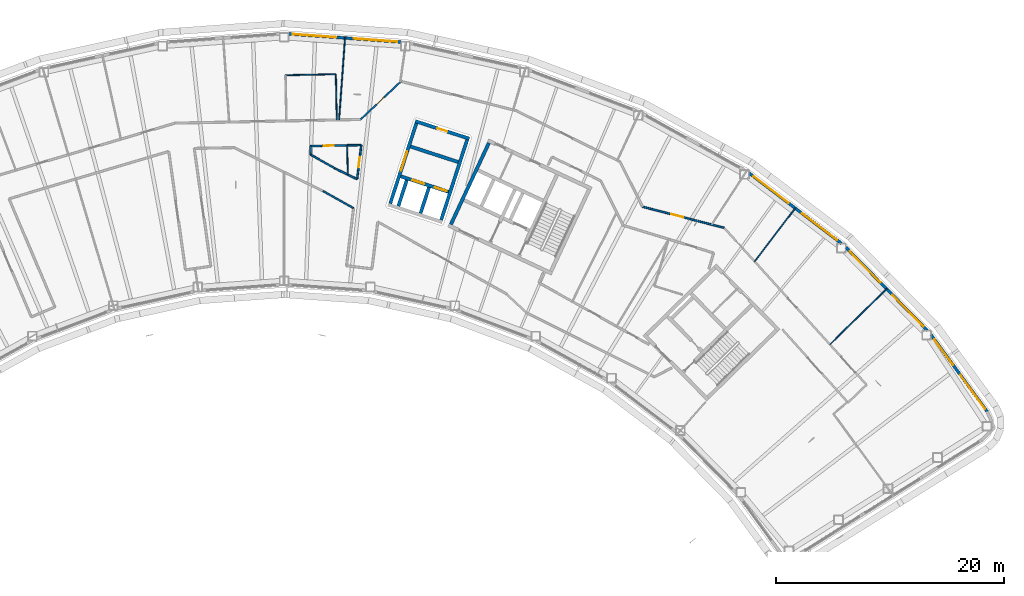
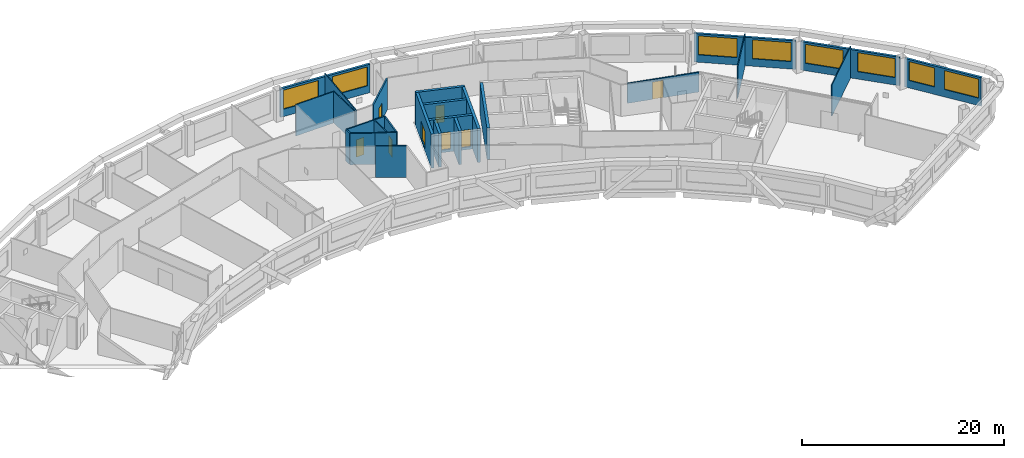
# One storey, part 10 of 21: 26 walls, 8 doors, 8 windows, 16 openings.
"""IFC4 building model written with IfcOpenShell, lengths in metres."""

from ifc_helpers import new_model, si_unit, direction, frame, frame_2d, origin, place, context, subcontext, project, spatial, rectangle, extrude, material, layer, layer_set, type_object, element, fill, save


model = new_model("IFC4")

# Units and contexts
model_context = context("Model", 3, precision=1e-05, world=origin(), true_north=direction((0.0, 1.0)))
body_context = subcontext(model_context, "Body", "Model", "MODEL_VIEW")
ifc_project = project(units=[si_unit("LENGTHUNIT", "METRE"), si_unit("AREAUNIT", "SQUARE_METRE"), si_unit("VOLUMEUNIT", "CUBIC_METRE"), si_unit("PLANEANGLEUNIT", "RADIAN"), si_unit("MASSUNIT", "GRAM", prefix="KILO")], contexts=[model_context])

# Site, building, storey
site_placement = place(None, origin())
site = spatial("IfcSite", under=ifc_project, at=site_placement, CompositionType="ELEMENT")
building_placement = place(site_placement, origin())
building = spatial("IfcBuilding", under=site, at=building_placement, Name="Tuul Gate Civic Tower", CompositionType="ELEMENT")
storey_placement = place(building_placement, frame((0.0, 0.0, 273.60009765625)))
storey = spatial("IfcBuildingStorey", under=building, at=storey_placement, Name="Level 62", CompositionType="ELEMENT", Elevation=273.60009765625)

# Wall
ifc_material_1 = material(Name="Concrete C50/60", Category="concrete")
ifc_layer_1 = layer(ifc_material_1, 0.300048828125)
ifc_layer_set_1 = layer_set([ifc_layer_1], Name="Concrete C50/60")
wall_type_1 = type_object("IfcWallType", Name="Core wall C50/60", PredefinedType="SHEAR", material=ifc_layer_set_1)
wall_1_placement = place(storey_placement, frame((25.66455078125, -2.951416015625, 0.0), z_axis=(0.0, 0.0, 1.0), x_axis=(0.422582604137, 0.906324413596, 0.0)))
element("IfcWall", 1, at=wall_1_placement, inside=storey, type_object=wall_type_1, Name="Core wall", PredefinedType="SHEAR", context=body_context, shape_type="SweptSolid", body=[
    extrude(rectangle(XDim=7.89990234375, YDim=0.300048828125, at=frame_2d((3.949951171875, 0.0))), origin(), (0.0, 0.0, 1.0), 3.7998046875),
])

# Wall, opening, door
ifc_material_2 = material(Name="Gypsum board partition")
ifc_layer_2 = layer(ifc_material_2, 0.14990234375)
ifc_layer_set_2 = layer_set([ifc_layer_2], Name="Gypsum board partition")
wall_type_2 = type_object("IfcWallType", Name="Corridor wall P150", PredefinedType="PARTITIONING", material=ifc_layer_set_2)
wall_2_placement = place(storey_placement, frame((17.757080078125, 6.2724609375, 0.0), z_axis=(0.0, 0.0, 1.0), x_axis=(0.727431554184, 0.686180248898, 0.0)))
wall_2 = element("IfcWall", 2, at=wall_2_placement, inside=storey, type_object=wall_type_2, Name="p024", PredefinedType="PARTITIONING", context=body_context, shape_type="SweptSolid", body=[
    extrude(rectangle(XDim=4.85302734375, YDim=0.14990234375, at=frame_2d((2.426513671875, 0.0))), origin(), (0.0, 0.0, 1.0), 3.7998046875),
])
opening_1_placement = place(wall_2_placement, frame((1.929931640625, 0.0, 0.0)))
opening_1 = element("IfcOpeningElement", 3, at=opening_1_placement, cuts=wall_2, Name="Opening W-D08", PredefinedType="OPENING", context=body_context, shape_type="SweptSolid", body=[
    extrude(rectangle(XDim=0.89990234375, YDim=2.10009765625, at=frame_2d((0.449951171875, 1.050048828125))), frame((0.0, 0.0849609375, 0.0), z_axis=(0.0, -1.0, 0.0), x_axis=(1.0, 0.0, 0.0)), (0.0, 0.0, 1.0), 0.169921875),
])
ifc_material_3 = material(Name="Timber door leaf", Category="wood")
door_type_1 = type_object("IfcDoorType", Name="Door D09", OperationType="NOTDEFINED", PredefinedType="DOOR", material=ifc_material_3)
door_1_placement = place(opening_1_placement, origin())
door_1 = element("IfcDoor", 4, at=door_1_placement, inside=storey, type_object=door_type_1, Name="Door W-D08", OperationType="SINGLE_SWING_RIGHT", OverallHeight=2.10009765625, OverallWidth=0.89990234375, PredefinedType="DOOR", context=body_context, shape_type="SweptSolid", body=[
    extrude(rectangle(XDim=0.89990234375, YDim=2.10009765625, at=frame_2d((0.449951171875, 1.050048828125))), frame((0.0, 0.02490234375, 0.0), z_axis=(0.0, -1.0, 0.0), x_axis=(1.0, 0.0, 0.0)), (0.0, 0.0, 1.0), 0.050048828125),
])
fill(opening_1, door_1)

# Wall
wall_3_placement = place(storey_placement, frame((14.447265625, -0.01708984375, 0.0), z_axis=(0.0, 0.0, 1.0), x_axis=(0.872175403495, -0.489193280348, 0.0)))
element("IfcWall", 5, at=wall_3_placement, inside=storey, type_object=wall_type_2, Name="p068", PredefinedType="PARTITIONING", context=body_context, shape_type="SweptSolid", body=[
    extrude(rectangle(XDim=3.061767578125, YDim=0.14990234375, at=frame_2d((1.53076171875, 0.0))), origin(), (0.0, 0.0, 1.0), 3.7998046875),
])

# Wall, opening, door
wall_4_placement = place(storey_placement, frame((17.442138671875, 1.023193359375, 0.0), z_axis=(0.0, 0.0, 1.0), x_axis=(0.121882908983, 0.992544485904, 0.0)))
wall_4 = element("IfcWall", 6, at=wall_4_placement, inside=storey, type_object=wall_type_2, Name="p072", PredefinedType="PARTITIONING", context=body_context, shape_type="SweptSolid", body=[
    extrude(rectangle(XDim=3.0166015625, YDim=0.14990234375, at=frame_2d((1.50830078125, 0.0))), origin(), (0.0, 0.0, 1.0), 3.7998046875),
])
opening_2_placement = place(wall_4_placement, frame((1.058349609375, 0.0, 0.0)))
opening_2 = element("IfcOpeningElement", 7, at=opening_2_placement, cuts=wall_4, Name="Opening W-D31", PredefinedType="OPENING", context=body_context, shape_type="SweptSolid", body=[
    extrude(rectangle(XDim=0.89990234375, YDim=2.10009765625, at=frame_2d((0.449951171875, 1.050048828125))), frame((0.0, 0.0849609375, 0.0), z_axis=(0.0, -1.0, 0.0), x_axis=(1.0, 0.0, 0.0)), (0.0, 0.0, 1.0), 0.169921875),
])
door_2_placement = place(opening_2_placement, frame((0.89990234375, 0.0, 0.0), z_axis=(0.0, 0.0, 1.0), x_axis=(-1.0, 0.0, 0.0)))
door_2 = element("IfcDoor", 8, at=door_2_placement, inside=storey, type_object=door_type_1, Name="Door W-D31", OperationType="SINGLE_SWING_LEFT", OverallHeight=2.10009765625, OverallWidth=0.89990234375, PredefinedType="DOOR", context=body_context, shape_type="SweptSolid", body=[
    extrude(rectangle(XDim=0.89990234375, YDim=2.10009765625, at=frame_2d((0.449951171875, 1.050048828125))), frame((0.0, 0.02490234375, 0.0), z_axis=(0.0, -1.0, 0.0), x_axis=(1.0, 0.0, 0.0)), (0.0, 0.0, 1.0), 0.050048828125),
])
fill(opening_2, door_2)

wall_5_placement = place(storey_placement, frame((13.349853515625, 3.928466796875, 0.0), z_axis=(0.0, 0.0, 1.0), x_axis=(0.999801545263, 0.019921598559, 0.0)))
wall_5 = element("IfcWall", 9, at=wall_5_placement, inside=storey, type_object=wall_type_2, Name="p084", PredefinedType="PARTITIONING", context=body_context, shape_type="SweptSolid", body=[
    extrude(rectangle(XDim=4.4609375, YDim=0.14990234375, at=frame_2d((2.23046875, 0.0))), origin(), (0.0, 0.0, 1.0), 3.7998046875),
])
opening_3_placement = place(wall_5_placement, frame((1.159912109375, 0.0, 0.0)))
opening_3 = element("IfcOpeningElement", 10, at=opening_3_placement, cuts=wall_5, Name="Opening W-D27", PredefinedType="OPENING", context=body_context, shape_type="SweptSolid", body=[
    extrude(rectangle(XDim=0.89990234375, YDim=2.10009765625, at=frame_2d((0.449951171875, 1.050048828125))), frame((0.0, 0.0849609375, 0.0), z_axis=(0.0, -1.0, 0.0), x_axis=(1.0, 0.0, 0.0)), (0.0, 0.0, 1.0), 0.169921875),
])
door_3_placement = place(opening_3_placement, frame((0.89990234375, 0.0, 0.0), z_axis=(0.0, 0.0, 1.0), x_axis=(-1.0, 0.0, 0.0)))
door_3 = element("IfcDoor", 11, at=door_3_placement, inside=storey, type_object=door_type_1, Name="Door W-D27", OperationType="SINGLE_SWING_LEFT", OverallHeight=2.10009765625, OverallWidth=0.89990234375, PredefinedType="DOOR", context=body_context, shape_type="SweptSolid", body=[
    extrude(rectangle(XDim=0.89990234375, YDim=2.10009765625, at=frame_2d((0.449951171875, 1.050048828125))), frame((0.0, 0.02490234375, 0.0), z_axis=(0.0, -1.0, 0.0), x_axis=(1.0, 0.0, 0.0)), (0.0, 0.0, 1.0), 0.050048828125),
])
fill(opening_3, door_3)

# Walls
wall_6_placement = place(storey_placement, frame((15.49267578125, 1.976318359375, 0.0), z_axis=(0.0, 0.0, 1.0), x_axis=(0.898374495524, -0.439230310648, 0.0)))
element("IfcWall", 12, at=wall_6_placement, inside=storey, type_object=wall_type_2, Name="p097", PredefinedType="PARTITIONING", context=body_context, shape_type="SweptSolid", body=[
    extrude(rectangle(XDim=2.169921875, YDim=0.14990234375, at=frame_2d((1.0849609375, 0.0))), origin(), (0.0, 0.0, 1.0), 3.7998046875),
])
wall_7_placement = place(storey_placement, frame((13.364990234375, 3.169921875, 0.0), z_axis=(0.0, 0.0, 1.0), x_axis=(0.872138875134, -0.48925840052, 0.0)))
element("IfcWall", 13, at=wall_7_placement, inside=storey, type_object=wall_type_2, Name="p098", PredefinedType="PARTITIONING", context=body_context, shape_type="SweptSolid", body=[
    extrude(rectangle(XDim=2.439697265625, YDim=0.14990234375, at=frame_2d((1.2197265625, 0.0))), origin(), (0.0, 0.0, 1.0), 3.7998046875),
])
wall_8_placement = place(storey_placement, frame((13.349853515625, 3.928466796875, 0.0), z_axis=(0.0, 0.0, 1.0), x_axis=(0.019950968618, -0.999800959617, 0.0)))
element("IfcWall", 14, at=wall_8_placement, inside=storey, type_object=wall_type_2, Name="p100", PredefinedType="PARTITIONING", context=body_context, shape_type="SweptSolid", body=[
    extrude(rectangle(XDim=0.7587890625, YDim=0.14990234375, at=frame_2d((0.37939453125, 0.0))), origin(), (0.0, 0.0, 1.0), 3.7998046875),
])

# Wall, opening, door
ifc_material_4 = material(Name="Gypsum board partition")
ifc_layer_3 = layer(ifc_material_4, 0.14990234375)
ifc_layer_set_3 = layer_set([ifc_layer_3], Name="Gypsum board partition")
wall_type_3 = type_object("IfcWallType", Name="Corridor wall P150 2400 HIGH", PredefinedType="PARTITIONING", material=ifc_layer_set_3)
wall_9_placement = place(storey_placement, frame((42.492919921875, -1.393310546875, 0.0), z_axis=(0.0, 0.0, 1.0), x_axis=(0.968150645679, -0.250368383129, 0.0)))
wall_9 = element("IfcWall", 15, at=wall_9_placement, inside=storey, type_object=wall_type_3, Name="p017", PredefinedType="PARTITIONING", context=body_context, shape_type="SweptSolid", body=[
    extrude(rectangle(XDim=7.377685546875, YDim=0.14990234375, at=frame_2d((3.68896484375, 0.0))), origin(), (0.0, 0.0, 1.0), 2.39990234375),
])
opening_4_placement = place(wall_9_placement, frame((2.579345703125, 0.0, 0.0)))
opening_4 = element("IfcOpeningElement", 16, at=opening_4_placement, cuts=wall_9, Name="Opening W-D05", PredefinedType="OPENING", context=body_context, shape_type="SweptSolid", body=[
    extrude(rectangle(XDim=1.10009765625, YDim=2.10009765625, at=frame_2d((0.550048828125, 1.050048828125))), frame((0.0, 0.0849609375, 0.0), z_axis=(0.0, -1.0, 0.0), x_axis=(1.0, 0.0, 0.0)), (0.0, 0.0, 1.0), 0.169921875),
])
ifc_material_5 = material(Name="Timber door leaf", Category="wood")
door_type_2 = type_object("IfcDoorType", Name="Door D11", OperationType="NOTDEFINED", PredefinedType="DOOR", material=ifc_material_5)
door_4_placement = place(opening_4_placement, origin())
door_4 = element("IfcDoor", 17, at=door_4_placement, inside=storey, type_object=door_type_2, Name="Door W-D05", OperationType="SINGLE_SWING_RIGHT", OverallHeight=2.10009765625, OverallWidth=1.10009765625, PredefinedType="DOOR", context=body_context, shape_type="SweptSolid", body=[
    extrude(rectangle(XDim=1.10009765625, YDim=2.10009765625, at=frame_2d((0.550048828125, 1.050048828125))), frame((0.0, 0.02490234375, 0.0), z_axis=(0.0, -1.0, 0.0), x_axis=(1.0, 0.0, 0.0)), (0.0, 0.0, 1.0), 0.050048828125),
])
fill(opening_4, door_4)

# Wall, openings, windows
ifc_material_6 = material(Name="Precast concrete C40/50", Category="concrete")
ifc_layer_4 = layer(ifc_material_6, 0.25)
ifc_layer_set_4 = layer_set([ifc_layer_4], Name="Precast concrete C40/50")
wall_type_4 = type_object("IfcWallType", Name="External wall", PredefinedType="STANDARD", material=ifc_layer_set_4)
wall_10_placement = place(storey_placement, frame((72.719970703125, -19.37060546875, 0.0), z_axis=(0.0, 0.0, 1.0), x_axis=(-0.589821256366, 0.807533829346, 0.0)))
wall_10 = element("IfcWall", 18, at=wall_10_placement, inside=storey, type_object=wall_type_4, Name="External wall", PredefinedType="STANDARD", context=body_context, shape_type="SweptSolid", body=[
    extrude(rectangle(XDim=8.33642578125, YDim=0.25, at=frame_2d((4.168212890625, 0.0))), origin(), (0.0, 0.0, 1.0), 3.449951171875),
])
opening_5_placement = place(wall_10_placement, frame((0.30078125, 0.0, 0.89990234375)))
opening_5 = element("IfcOpeningElement", 19, at=opening_5_placement, cuts=wall_10, Name="Opening W21", PredefinedType="OPENING", context=body_context, shape_type="SweptSolid", body=[
    extrude(rectangle(XDim=3.699951171875, YDim=2.300048828125, at=frame_2d((1.85009765625, 1.14990234375))), frame((0.0, 0.135009765625, 0.0), z_axis=(0.0, -1.0, 0.0), x_axis=(1.0, 0.0, 0.0)), (0.0, 0.0, 1.0), 0.27001953125),
])
opening_6_placement = place(wall_10_placement, frame((5.052001953125, 0.0, 0.89990234375)))
opening_6 = element("IfcOpeningElement", 20, at=opening_6_placement, cuts=wall_10, Name="Opening W23", PredefinedType="OPENING", context=body_context, shape_type="SweptSolid", body=[
    extrude(rectangle(XDim=2.800048828125, YDim=2.300048828125, at=frame_2d((1.39990234375, 1.14990234375))), frame((0.0, 0.135009765625, 0.0), z_axis=(0.0, -1.0, 0.0), x_axis=(1.0, 0.0, 0.0)), (0.0, 0.0, 1.0), 0.27001953125),
])
ifc_material_7 = material(Name="Glass", Category="glass")
window_type_1 = type_object("IfcWindowType", Name="Window W21 3700 x 2300", PartitioningType="SINGLE_PANEL", PredefinedType="WINDOW", material=ifc_material_7)
window_1_placement = place(opening_5_placement, origin())
window_1 = element("IfcWindow", 21, at=window_1_placement, inside=storey, type_object=window_type_1, Name="Window", OverallHeight=2.300048828125, OverallWidth=3.699951171875, PartitioningType="SINGLE_PANEL", PredefinedType="WINDOW", context=body_context, shape_type="SweptSolid", body=[
    extrude(rectangle(XDim=3.699951171875, YDim=2.300048828125, at=frame_2d((1.85009765625, 1.14990234375))), frame((0.0, 0.030029296875, 0.0), z_axis=(0.0, -1.0, 0.0), x_axis=(1.0, 0.0, 0.0)), (0.0, 0.0, 1.0), 0.06005859375),
])
fill(opening_5, window_1)
ifc_material_8 = material(Name="Glass", Category="glass")
window_type_2 = type_object("IfcWindowType", Name="Window W23 2800 x 2300", PartitioningType="SINGLE_PANEL", PredefinedType="WINDOW", material=ifc_material_8)
window_2_placement = place(opening_6_placement, origin())
window_2 = element("IfcWindow", 22, at=window_2_placement, inside=storey, type_object=window_type_2, Name="Window", OverallHeight=2.300048828125, OverallWidth=2.800048828125, PartitioningType="SINGLE_PANEL", PredefinedType="WINDOW", context=body_context, shape_type="SweptSolid", body=[
    extrude(rectangle(XDim=2.800048828125, YDim=2.300048828125, at=frame_2d((1.39990234375, 1.14990234375))), frame((0.0, 0.030029296875, 0.0), z_axis=(0.0, -1.0, 0.0), x_axis=(1.0, 0.0, 0.0)), (0.0, 0.0, 1.0), 0.06005859375),
])
fill(opening_6, window_2)

wall_11_placement = place(storey_placement, frame((67.466064453125, -12.241943359375, 0.0), z_axis=(0.0, 0.0, 1.0), x_axis=(-0.700008693155, 0.714134321754, 0.0)))
wall_11 = element("IfcWall", 23, at=wall_11_placement, inside=storey, type_object=wall_type_4, Name="External wall", PredefinedType="STANDARD", context=body_context, shape_type="SweptSolid", body=[
    extrude(rectangle(XDim=10.197265625, YDim=0.25, at=frame_2d((5.0986328125, 0.0))), origin(), (0.0, 0.0, 1.0), 3.449951171875),
])
opening_7_placement = place(wall_11_placement, frame((0.487060546875, 0.0, 0.89990234375)))
opening_7 = element("IfcOpeningElement", 24, at=opening_7_placement, cuts=wall_11, Name="Opening W22", PredefinedType="OPENING", context=body_context, shape_type="SweptSolid", body=[
    extrude(rectangle(XDim=3.85009765625, YDim=2.300048828125, at=frame_2d((1.925048828125, 1.14990234375))), frame((0.0, 0.135009765625, 0.0), z_axis=(0.0, -1.0, 0.0), x_axis=(1.0, 0.0, 0.0)), (0.0, 0.0, 1.0), 0.27001953125),
])
opening_8_placement = place(wall_11_placement, frame((5.8583984375, 0.0, 0.89990234375)))
opening_8 = element("IfcOpeningElement", 25, at=opening_8_placement, cuts=wall_11, Name="Opening W22", PredefinedType="OPENING", context=body_context, shape_type="SweptSolid", body=[
    extrude(rectangle(XDim=3.85009765625, YDim=2.300048828125, at=frame_2d((1.925048828125, 1.14990234375))), frame((0.0, 0.135009765625, 0.0), z_axis=(0.0, -1.0, 0.0), x_axis=(1.0, 0.0, 0.0)), (0.0, 0.0, 1.0), 0.27001953125),
])
ifc_material_9 = material(Name="Glass", Category="glass")
window_type_3 = type_object("IfcWindowType", Name="Window W22 3850 x 2300", PartitioningType="SINGLE_PANEL", PredefinedType="WINDOW", material=ifc_material_9)
window_3_placement = place(opening_7_placement, origin())
window_3 = element("IfcWindow", 26, at=window_3_placement, inside=storey, type_object=window_type_3, Name="Window", OverallHeight=2.300048828125, OverallWidth=3.85009765625, PartitioningType="SINGLE_PANEL", PredefinedType="WINDOW", context=body_context, shape_type="SweptSolid", body=[
    extrude(rectangle(XDim=3.85009765625, YDim=2.300048828125, at=frame_2d((1.925048828125, 1.14990234375))), frame((0.0, 0.030029296875, 0.0), z_axis=(0.0, -1.0, 0.0), x_axis=(1.0, 0.0, 0.0)), (0.0, 0.0, 1.0), 0.06005859375),
])
fill(opening_7, window_3)
window_4_placement = place(opening_8_placement, origin())
window_4 = element("IfcWindow", 27, at=window_4_placement, inside=storey, type_object=window_type_3, Name="Window", OverallHeight=2.300048828125, OverallWidth=3.85009765625, PartitioningType="SINGLE_PANEL", PredefinedType="WINDOW", context=body_context, shape_type="SweptSolid", body=[
    extrude(rectangle(XDim=3.85009765625, YDim=2.300048828125, at=frame_2d((1.925048828125, 1.14990234375))), frame((0.0, 0.030029296875, 0.0), z_axis=(0.0, -1.0, 0.0), x_axis=(1.0, 0.0, 0.0)), (0.0, 0.0, 1.0), 0.06005859375),
])
fill(opening_8, window_4)

wall_12_placement = place(storey_placement, frame((59.9404296875, -4.616943359375, 0.0), z_axis=(0.0, 0.0, 1.0), x_axis=(-0.795654969417, 0.605750088437, 0.0)))
wall_12 = element("IfcWall", 28, at=wall_12_placement, inside=storey, type_object=wall_type_4, Name="External wall", PredefinedType="STANDARD", context=body_context, shape_type="SweptSolid", body=[
    extrude(rectangle(XDim=10.189697265625, YDim=0.25, at=frame_2d((5.0947265625, 0.0))), origin(), (0.0, 0.0, 1.0), 3.449951171875),
])
opening_9_placement = place(wall_12_placement, frame((0.49560546875, 0.0, 0.89990234375)))
opening_9 = element("IfcOpeningElement", 29, at=opening_9_placement, cuts=wall_12, Name="Opening W22", PredefinedType="OPENING", context=body_context, shape_type="SweptSolid", body=[
    extrude(rectangle(XDim=3.85009765625, YDim=2.300048828125, at=frame_2d((1.925048828125, 1.14990234375))), frame((0.0, 0.135009765625, 0.0), z_axis=(0.0, -1.0, 0.0), x_axis=(1.0, 0.0, 0.0)), (0.0, 0.0, 1.0), 0.27001953125),
])
opening_10_placement = place(wall_12_placement, frame((5.86669921875, 0.0, 0.89990234375)))
opening_10 = element("IfcOpeningElement", 30, at=opening_10_placement, cuts=wall_12, Name="Opening W22", PredefinedType="OPENING", context=body_context, shape_type="SweptSolid", body=[
    extrude(rectangle(XDim=3.85009765625, YDim=2.300048828125, at=frame_2d((1.925048828125, 1.14990234375))), frame((0.0, 0.135009765625, 0.0), z_axis=(0.0, -1.0, 0.0), x_axis=(1.0, 0.0, 0.0)), (0.0, 0.0, 1.0), 0.27001953125),
])
window_5_placement = place(opening_9_placement, origin())
window_5 = element("IfcWindow", 31, at=window_5_placement, inside=storey, type_object=window_type_3, Name="Window", OverallHeight=2.300048828125, OverallWidth=3.85009765625, PartitioningType="SINGLE_PANEL", PredefinedType="WINDOW", context=body_context, shape_type="SweptSolid", body=[
    extrude(rectangle(XDim=3.85009765625, YDim=2.300048828125, at=frame_2d((1.925048828125, 1.14990234375))), frame((0.0, 0.030029296875, 0.0), z_axis=(0.0, -1.0, 0.0), x_axis=(1.0, 0.0, 0.0)), (0.0, 0.0, 1.0), 0.06005859375),
])
fill(opening_9, window_5)
window_6_placement = place(opening_10_placement, origin())
window_6 = element("IfcWindow", 32, at=window_6_placement, inside=storey, type_object=window_type_3, Name="Window", OverallHeight=2.300048828125, OverallWidth=3.85009765625, PartitioningType="SINGLE_PANEL", PredefinedType="WINDOW", context=body_context, shape_type="SweptSolid", body=[
    extrude(rectangle(XDim=3.85009765625, YDim=2.300048828125, at=frame_2d((1.925048828125, 1.14990234375))), frame((0.0, 0.030029296875, 0.0), z_axis=(0.0, -1.0, 0.0), x_axis=(1.0, 0.0, 0.0)), (0.0, 0.0, 1.0), 0.06005859375),
])
fill(opening_10, window_6)

wall_13_placement = place(storey_placement, frame((21.280029296875, 13.057373046875, 0.0), z_axis=(0.0, 0.0, 1.0), x_axis=(-0.99738717169, 0.072241468338, 0.0)))
wall_13 = element("IfcWall", 33, at=wall_13_placement, inside=storey, type_object=wall_type_4, Name="External wall", PredefinedType="STANDARD", context=body_context, shape_type="SweptSolid", body=[
    extrude(rectangle(XDim=9.875, YDim=0.25, at=frame_2d((4.9375, 0.0))), origin(), (0.0, 0.0, 1.0), 3.449951171875),
])
opening_11_placement = place(wall_13_placement, frame((0.303466796875, 0.0, 0.89990234375)))
opening_11 = element("IfcOpeningElement", 34, at=opening_11_placement, cuts=wall_13, Name="Opening W22", PredefinedType="OPENING", context=body_context, shape_type="SweptSolid", body=[
    extrude(rectangle(XDim=3.85009765625, YDim=2.300048828125, at=frame_2d((1.925048828125, 1.14990234375))), frame((0.0, 0.135009765625, 0.0), z_axis=(0.0, -1.0, 0.0), x_axis=(1.0, 0.0, 0.0)), (0.0, 0.0, 1.0), 0.27001953125),
])
opening_12_placement = place(wall_13_placement, frame((5.67431640625, 0.0, 0.89990234375)))
opening_12 = element("IfcOpeningElement", 35, at=opening_12_placement, cuts=wall_13, Name="Opening W22", PredefinedType="OPENING", context=body_context, shape_type="SweptSolid", body=[
    extrude(rectangle(XDim=3.85009765625, YDim=2.300048828125, at=frame_2d((1.925048828125, 1.14990234375))), frame((0.0, 0.135009765625, 0.0), z_axis=(0.0, -1.0, 0.0), x_axis=(1.0, 0.0, 0.0)), (0.0, 0.0, 1.0), 0.27001953125),
])
window_7_placement = place(opening_11_placement, origin())
window_7 = element("IfcWindow", 36, at=window_7_placement, inside=storey, type_object=window_type_3, Name="Window", OverallHeight=2.300048828125, OverallWidth=3.85009765625, PartitioningType="SINGLE_PANEL", PredefinedType="WINDOW", context=body_context, shape_type="SweptSolid", body=[
    extrude(rectangle(XDim=3.85009765625, YDim=2.300048828125, at=frame_2d((1.925048828125, 1.14990234375))), frame((0.0, 0.030029296875, 0.0), z_axis=(0.0, -1.0, 0.0), x_axis=(1.0, 0.0, 0.0)), (0.0, 0.0, 1.0), 0.06005859375),
])
fill(opening_11, window_7)
window_8_placement = place(opening_12_placement, origin())
window_8 = element("IfcWindow", 37, at=window_8_placement, inside=storey, type_object=window_type_3, Name="Window", OverallHeight=2.300048828125, OverallWidth=3.85009765625, PartitioningType="SINGLE_PANEL", PredefinedType="WINDOW", context=body_context, shape_type="SweptSolid", body=[
    extrude(rectangle(XDim=3.85009765625, YDim=2.300048828125, at=frame_2d((1.925048828125, 1.14990234375))), frame((0.0, 0.030029296875, 0.0), z_axis=(0.0, -1.0, 0.0), x_axis=(1.0, 0.0, 0.0)), (0.0, 0.0, 1.0), 0.06005859375),
])
fill(opening_12, window_8)

# Wall, openings, doors
ifc_material_10 = material(Name="Concrete C40/50", Category="concrete")
ifc_layer_5 = layer(ifc_material_10, 0.300048828125)
ifc_layer_set_5 = layer_set([ifc_layer_5], Name="Concrete C40/50")
wall_type_5 = type_object("IfcWallType", Name="Lift shaft wall C40/50", PredefinedType="STANDARD", material=ifc_layer_set_5)
wall_14_placement = place(storey_placement, frame((25.460693359375, -0.0859375, -0.300048828125), z_axis=(0.0, 0.0, 1.0), x_axis=(-0.951063829732, 0.308994485023, 0.0)))
wall_14 = element("IfcWall", 38, at=wall_14_placement, inside=storey, type_object=wall_type_5, Name="Shaft wall", PredefinedType="STANDARD", context=body_context, shape_type="SweptSolid", body=[
    extrude(rectangle(XDim=4.400146484375, YDim=0.300048828125, at=frame_2d((2.2001953125, 0.0))), origin(), (0.0, 0.0, 1.0), 4.099853515625),
])
opening_13_placement = place(wall_14_placement, frame((0.175048828125, 0.0, 0.300048828125)))
opening_13 = element("IfcOpeningElement", 39, at=opening_13_placement, cuts=wall_14, Name="Opening LD-H2", PredefinedType="OPENING", context=body_context, shape_type="SweptSolid", body=[
    extrude(rectangle(XDim=1.10009765625, YDim=2.10009765625, at=frame_2d((0.550048828125, 1.050048828125))), frame((0.0, 0.16015625, 0.0), z_axis=(0.0, -1.0, 0.0), x_axis=(1.0, 0.0, 0.0)), (0.0, 0.0, 1.0), 0.320068359375),
])
opening_14_placement = place(wall_14_placement, frame((2.22509765625, 0.0, 0.300048828125)))
opening_14 = element("IfcOpeningElement", 40, at=opening_14_placement, cuts=wall_14, Name="Opening LD-H3", PredefinedType="OPENING", context=body_context, shape_type="SweptSolid", body=[
    extrude(rectangle(XDim=1.10009765625, YDim=2.10009765625, at=frame_2d((0.550048828125, 1.050048828125))), frame((0.0, 0.16015625, 0.0), z_axis=(0.0, -1.0, 0.0), x_axis=(1.0, 0.0, 0.0)), (0.0, 0.0, 1.0), 0.320068359375),
])
ifc_material_11 = material(Name="Stainless steel", Category="steel")
door_type_3 = type_object("IfcDoorType", Name="Landing door", OperationType="DOUBLE_DOOR_SLIDING", PredefinedType="DOOR", material=ifc_material_11)
door_5_placement = place(opening_13_placement, origin())
door_5 = element("IfcDoor", 41, at=door_5_placement, inside=storey, type_object=door_type_3, Name="High-rise lift H2 landing door", OperationType="DOUBLE_DOOR_SLIDING", OverallHeight=2.10009765625, OverallWidth=1.10009765625, PredefinedType="DOOR", context=body_context, shape_type="SweptSolid", body=[
    extrude(rectangle(XDim=1.10009765625, YDim=2.10009765625, at=frame_2d((0.550048828125, 1.050048828125))), frame((0.0, 0.02490234375, 0.0), z_axis=(0.0, -1.0, 0.0), x_axis=(1.0, 0.0, 0.0)), (0.0, 0.0, 1.0), 0.050048828125),
])
fill(opening_13, door_5)
door_6_placement = place(opening_14_placement, origin())
door_6 = element("IfcDoor", 42, at=door_6_placement, inside=storey, type_object=door_type_3, Name="High-rise lift H3 landing door", OperationType="DOUBLE_DOOR_SLIDING", OverallHeight=2.10009765625, OverallWidth=1.10009765625, PredefinedType="DOOR", context=body_context, shape_type="SweptSolid", body=[
    extrude(rectangle(XDim=1.10009765625, YDim=2.10009765625, at=frame_2d((0.550048828125, 1.050048828125))), frame((0.0, 0.02490234375, 0.0), z_axis=(0.0, -1.0, 0.0), x_axis=(1.0, 0.0, 0.0)), (0.0, 0.0, 1.0), 0.050048828125),
])
fill(opening_14, door_6)

# Wall
wall_15_placement = place(storey_placement, frame((26.310546875, 2.529541015625, -0.300048828125), z_axis=(0.0, 0.0, 1.0), x_axis=(-0.951058531764, 0.30901079133, 0.0)))
element("IfcWall", 43, at=wall_15_placement, inside=storey, type_object=wall_type_5, Name="Shaft wall", PredefinedType="STANDARD", context=body_context, shape_type="SweptSolid", body=[
    extrude(rectangle(XDim=4.39990234375, YDim=0.300048828125, at=frame_2d((2.199951171875, 0.0))), origin(), (0.0, 0.0, 1.0), 4.099853515625),
])

# Wall, opening, door
wall_16_placement = place(storey_placement, frame((27.29150390625, 4.57666015625, -0.300048828125), z_axis=(0.0, 0.0, 1.0), x_axis=(-0.951067792613, 0.308982287281, 0.0)))
wall_16 = element("IfcWall", 44, at=wall_16_placement, inside=storey, type_object=wall_type_5, Name="Shaft wall", PredefinedType="STANDARD", context=body_context, shape_type="SweptSolid", body=[
    extrude(rectangle(XDim=5.0, YDim=0.300048828125, at=frame_2d((2.5, 0.0))), origin(), (0.0, 0.0, 1.0), 4.099853515625),
])
opening_15_placement = place(wall_16_placement, frame((2.050048828125, 0.0, 0.0)))
opening_15 = element("IfcOpeningElement", 45, at=opening_15_placement, cuts=wall_16, Name="Opening W-D39", PredefinedType="OPENING", context=body_context, shape_type="SweptSolid", body=[
    extrude(rectangle(XDim=0.89990234375, YDim=2.10009765625, at=frame_2d((0.449951171875, 1.050048828125))), frame((0.0, 0.16015625, 0.0), z_axis=(0.0, -1.0, 0.0), x_axis=(1.0, 0.0, 0.0)), (0.0, 0.0, 1.0), 0.320068359375),
])
door_7_placement = place(opening_15_placement, origin())
door_7 = element("IfcDoor", 46, at=door_7_placement, inside=storey, type_object=door_type_1, Name="Door W-D39", OperationType="SINGLE_SWING_LEFT", OverallHeight=2.10009765625, OverallWidth=0.89990234375, PredefinedType="DOOR", context=body_context, shape_type="SweptSolid", body=[
    extrude(rectangle(XDim=0.89990234375, YDim=2.10009765625, at=frame_2d((0.449951171875, 1.050048828125))), frame((0.0, 0.02490234375, 0.0), z_axis=(0.0, -1.0, 0.0), x_axis=(1.0, 0.0, 0.0)), (0.0, 0.0, 1.0), 0.050048828125),
])
fill(opening_15, door_7)

# Walls
wall_17_placement = place(storey_placement, frame((24.815185546875, -2.557373046875, -0.300048828125), z_axis=(0.0, 0.0, 1.0), x_axis=(0.30907264409, 0.951038432807, 0.0)))
element("IfcWall", 47, at=wall_17_placement, inside=storey, type_object=wall_type_5, Name="Shaft wall", PredefinedType="STANDARD", context=body_context, shape_type="SweptSolid", body=[
    extrude(rectangle(XDim=7.39990234375, YDim=0.300048828125, at=frame_2d((3.699951171875, 0.0))), origin(), (0.0, 0.0, 1.0), 4.099853515625),
])
for number, where, z_axis, x_axis, name in (
    (48, (23.008056640625, -1.97021484375, -0.300048828125), (0.0, 0.0, 1.0), (0.309138975195, 0.951016873675, 0.0), "Shaft wall"),
    (49, (21.058349609375, -1.336669921875, -0.300048828125), (0.0, 0.0, 1.0), (0.309138975195, 0.951016873675, 0.0), "Shaft wall"),
):
    element("IfcWall", number, at=place(storey_placement, frame(where, z_axis=z_axis, x_axis=x_axis)), inside=storey, type_object=wall_type_5, Name=name, PredefinedType="STANDARD", context=body_context, shape_type="SweptSolid", body=[
        extrude(rectangle(XDim=2.400146484375, YDim=0.300048828125, at=frame_2d((1.2001953125, 0.0))), origin(), (0.0, 0.0, 1.0), 4.099853515625),
    ])

# Wall, opening, door
wall_18_placement = place(storey_placement, frame((20.34521484375, -1.10498046875, -0.300048828125), z_axis=(0.0, 0.0, 1.0), x_axis=(0.30907264409, 0.951038432807, 0.0)))
wall_18 = element("IfcWall", 50, at=wall_18_placement, inside=storey, type_object=wall_type_5, Name="Shaft wall", PredefinedType="STANDARD", context=body_context, shape_type="SweptSolid", body=[
    extrude(rectangle(XDim=7.39990234375, YDim=0.300048828125, at=frame_2d((3.699951171875, 0.0))), origin(), (0.0, 0.0, 1.0), 4.099853515625),
])
opening_16_placement = place(wall_18_placement, frame((3.02490234375, 0.0, 0.300048828125)))
opening_16 = element("IfcOpeningElement", 51, at=opening_16_placement, cuts=wall_18, Name="Opening LB-E4-LOBBY-1", PredefinedType="OPENING", context=body_context, shape_type="SweptSolid", body=[
    extrude(rectangle(XDim=1.800048828125, YDim=2.10009765625, at=frame_2d((0.89990234375, 1.050048828125))), frame((0.0, 0.16015625, 0.0), z_axis=(0.0, -1.0, 0.0), x_axis=(1.0, 0.0, 0.0)), (0.0, 0.0, 1.0), 0.320068359375),
])
ifc_material_12 = material(Name="Steel", Category="steel")
door_type_4 = type_object("IfcDoorType", Name="Lobby door", OperationType="DOUBLE_DOOR_SINGLE_SWING", PredefinedType="DOOR", material=ifc_material_12)
door_8_placement = place(opening_16_placement, frame((1.800048828125, 0.0, 0.0), z_axis=(0.0, 0.0, 1.0), x_axis=(-1.0, 0.0, 0.0)))
door_8 = element("IfcDoor", 52, at=door_8_placement, inside=storey, type_object=door_type_4, Name="Lobby door E4-LOBBY", OperationType="DOUBLE_DOOR_SINGLE_SWING", OverallHeight=2.10009765625, OverallWidth=1.800048828125, PredefinedType="DOOR", context=body_context, shape_type="SweptSolid", body=[
    extrude(rectangle(XDim=1.800048828125, YDim=2.10009765625, at=frame_2d((0.900146484375, 1.050048828125))), frame((0.0, 0.02490234375, 0.0), z_axis=(0.0, -1.0, 0.0), x_axis=(1.0, 0.0, 0.0)), (0.0, 0.0, 1.0), 0.050048828125),
])
fill(opening_16, door_8)

# Walls
ifc_material_13 = material(Name="Gypsum board partition")
ifc_layer_6 = layer(ifc_material_13, 0.10009765625)
ifc_layer_set_6 = layer_set([ifc_layer_6], Name="Gypsum board partition")
wall_type_6 = type_object("IfcWallType", Name="Partition P100", PredefinedType="PARTITIONING", material=ifc_layer_set_6)
wall_19_placement = place(storey_placement, frame((58.923583984375, -13.4775390625, 0.0), z_axis=(0.0, 0.0, 1.0), x_axis=(0.714129140849, 0.700013978568, 0.0)))
element("IfcWall", 53, at=wall_19_placement, inside=storey, type_object=wall_type_6, Name="p009", PredefinedType="PARTITIONING", context=body_context, shape_type="SweptSolid", body=[
    extrude(rectangle(XDim=6.970458984375, YDim=0.10009765625, at=frame_2d((3.4853515625, 0.0))), origin(), (0.0, 0.0, 1.0), 3.7998046875),
])
wall_20_placement = place(storey_placement, frame((52.319091796875, -6.19775390625, 0.0), z_axis=(0.0, 0.0, 1.0), x_axis=(0.605804227118, 0.795613749508, 0.0)))
element("IfcWall", 54, at=wall_20_placement, inside=storey, type_object=wall_type_6, Name="p015", PredefinedType="PARTITIONING", context=body_context, shape_type="SweptSolid", body=[
    extrude(rectangle(XDim=5.87939453125, YDim=0.10009765625, at=frame_2d((2.939697265625, 0.0))), origin(), (0.0, 0.0, 1.0), 3.7998046875),
])
wall_21_placement = place(storey_placement, frame((15.85888671875, 6.22900390625, 0.0), z_axis=(0.0, 0.0, 1.0), x_axis=(0.072222003716, 0.997388581336, 0.0)))
element("IfcWall", 55, at=wall_21_placement, inside=storey, type_object=wall_type_6, Name="p025", PredefinedType="PARTITIONING", context=body_context, shape_type="SweptSolid", body=[
    extrude(rectangle(XDim=7.20703125, YDim=0.10009765625, at=frame_2d((3.603515625, 0.0))), origin(), (0.0, 0.0, 1.0), 3.7998046875),
])
wall_22_placement = place(storey_placement, frame((11.1552734375, 10.145751953125, 0.0), z_axis=(0.0, 0.0, 1.0), x_axis=(0.999800082064, 0.019994896951, 0.0)))
element("IfcWall", 56, at=wall_22_placement, inside=storey, type_object=wall_type_6, Name="p028", PredefinedType="PARTITIONING", context=body_context, shape_type="SweptSolid", body=[
    extrude(rectangle(XDim=4.420166015625, YDim=0.10009765625, at=frame_2d((2.2099609375, 0.0))), origin(), (0.0, 0.0, 1.0), 3.7998046875),
])
wall_23_placement = place(storey_placement, frame((15.574462890625, 10.234130859375, 0.0), z_axis=(0.0, 0.0, 1.0), x_axis=(0.019908366307, -0.999801808836, 0.0)))
element("IfcWall", 57, at=wall_23_placement, inside=storey, type_object=wall_type_6, Name="p029", PredefinedType="PARTITIONING", context=body_context, shape_type="SweptSolid", body=[
    extrude(rectangle(XDim=4.010009765625, YDim=0.10009765625, at=frame_2d((2.0048828125, 0.0))), origin(), (0.0, 0.0, 1.0), 3.7998046875),
])
wall_24_placement = place(storey_placement, frame((16.5693359375, 3.99267578125, 0.0), z_axis=(0.0, 0.0, 1.0), x_axis=(0.019961794651, -0.999800743526, 0.0)))
element("IfcWall", 58, at=wall_24_placement, inside=storey, type_object=wall_type_6, Name="p101", PredefinedType="PARTITIONING", context=body_context, shape_type="SweptSolid", body=[
    extrude(rectangle(XDim=2.568359375, YDim=0.10009765625, at=frame_2d((1.2841796875, 0.0))), origin(), (0.0, 0.0, 1.0), 3.7998046875),
])

save(model, "model.ifc")
